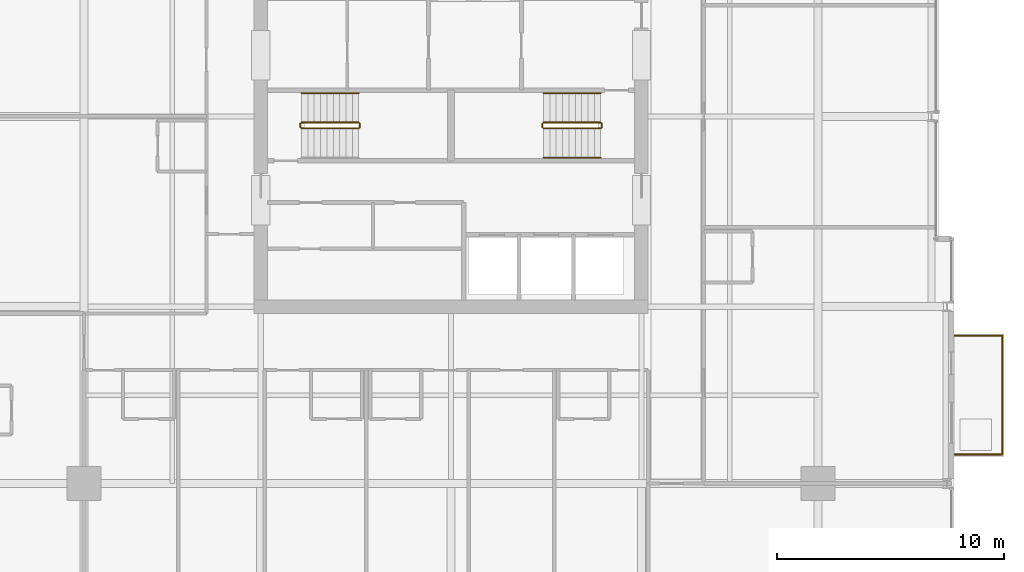
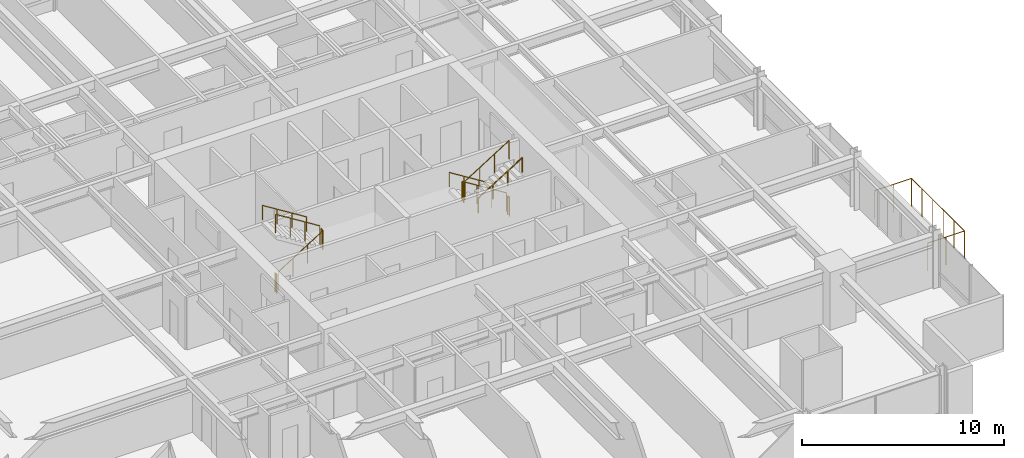
# One storey, part 34 of 35: 12 railings.
"""IFC4 building model written with IfcOpenShell, lengths in metres."""

from ifc_helpers import new_model, si_unit, direction, frame, origin, origin_2d, place, context, subcontext, project, spatial, circle, extrude, material, type_object, element, save


model = new_model("IFC4")

# Units and contexts
model_context = context("Model", 3, precision=1e-05, world=origin(), true_north=direction((0.0, 1.0)))
body_context = subcontext(model_context, "Body", "Model", "MODEL_VIEW")
ifc_project = project(units=[si_unit("LENGTHUNIT", "METRE"), si_unit("AREAUNIT", "SQUARE_METRE"), si_unit("VOLUMEUNIT", "CUBIC_METRE"), si_unit("PLANEANGLEUNIT", "RADIAN"), si_unit("MASSUNIT", "GRAM", prefix="KILO")], contexts=[model_context])

# Site, building, storey
site_placement = place(None, origin())
site = spatial("IfcSite", under=ifc_project, at=site_placement, CompositionType="ELEMENT")
building_placement = place(site_placement, origin())
building = spatial("IfcBuilding", under=site, at=building_placement, Name="Drelvath Grand Hotel", CompositionType="ELEMENT")
storey_placement = place(building_placement, frame((0.0, 0.0, 137.300048828125)))
storey = spatial("IfcBuildingStorey", under=building, at=storey_placement, Name="L35", CompositionType="ELEMENT", Elevation=137.300048828125)

# Railings
ifc_material_1 = material(Name="Painted Steel S275", Category="steel")
railing_type_1 = type_object("IfcRailingType", Name="Core Stair Wall Handrail 900", PredefinedType="HANDRAIL", material=ifc_material_1)
for number, where, name in (
    (1, (-4.080078125, 28.030029296875, 1.925048828125), "L35 ST-1 stair handrail 2"),
    (2, (6.60009765625, 28.030029296875, 0.175048828125), "L35 ST-2 stair handrail 1"),
):
    element("IfcRailing", number, at=place(storey_placement, frame(where)), inside=storey, type_object=railing_type_1, Name=name, PredefinedType="HANDRAIL", context=body_context, shape_type="SweptSolid", body=[
        extrude(circle(Radius=0.02392578125, at=origin_2d()), frame((0.0, 0.0, 0.8759765625), z_axis=(-0.848007534815, 0.0, 0.529984170421), x_axis=(0.0, -1.0, 0.0)), (0.0, 0.0, 1.0), 2.9716796875),
        extrude(circle(Radius=0.02099609375, at=origin_2d()), origin(), (0.0, 0.0, 1.0), 0.851806640625),
        extrude(circle(Radius=0.02099609375, at=origin_2d()), frame((-0.840087890625, 0.0, 0.52490234375)), (0.0, 0.0, 1.0), 0.851806640625),
        extrude(circle(Radius=0.02099609375, at=origin_2d()), frame((-1.679931640625, 0.0, 1.050048828125)), (0.0, 0.0, 1.0), 0.851806640625),
        extrude(circle(Radius=0.02099609375, at=origin_2d()), frame((-2.52001953125, 0.0, 1.574951171875)), (0.0, 0.0, 1.0), 0.851806640625),
    ])
railing_1_placement = place(storey_placement, frame((4.080078125, 25.169921875, 1.925048828125)))
element("IfcRailing", 3, at=railing_1_placement, inside=storey, type_object=railing_type_1, Name="L35 ST-2 stair handrail 2", PredefinedType="HANDRAIL", context=body_context, shape_type="SweptSolid", body=[
    extrude(circle(Radius=0.02392578125, at=origin_2d()), frame((0.0, 0.0, 0.8759765625), z_axis=(0.848007534815, 0.0, 0.529984170421), x_axis=(0.0, 1.0, 0.0)), (0.0, 0.0, 1.0), 2.9716796875),
    extrude(circle(Radius=0.02099609375, at=origin_2d()), origin(), (0.0, 0.0, 1.0), 0.851806640625),
    extrude(circle(Radius=0.02099609375, at=origin_2d()), frame((0.840087890625, 0.0, 0.52490234375)), (0.0, 0.0, 1.0), 0.851806640625),
    extrude(circle(Radius=0.02099609375, at=origin_2d()), frame((1.679931640625, 0.0, 1.050048828125)), (0.0, 0.0, 1.0), 0.851806640625),
    extrude(circle(Radius=0.02099609375, at=origin_2d()), frame((2.52001953125, 0.0, 1.574951171875)), (0.0, 0.0, 1.0), 0.851806640625),
])
railing_type_2 = type_object("IfcRailingType", Name="Core Stair Well Guardrail 1100", PredefinedType="GUARDRAIL", material=ifc_material_1)
railing_2_placement = place(storey_placement, frame((-6.60009765625, 26.469970703125, 0.175048828125)))
element("IfcRailing", 4, at=railing_2_placement, inside=storey, type_object=railing_type_2, Name="L35 ST-1 stair guard 1", PredefinedType="GUARDRAIL", context=body_context, shape_type="SweptSolid", body=[
    extrude(circle(Radius=0.02392578125, at=origin_2d()), frame((0.0, 0.0, 1.1259765625), z_axis=(0.848007534815, 0.0, 0.529984170421), x_axis=(0.0, 1.0, 0.0)), (0.0, 0.0, 1.0), 2.9716796875),
    extrude(circle(Radius=0.02099609375, at=origin_2d()), origin(), (0.0, 0.0, 1.0), 1.101806640625),
    extrude(circle(Radius=0.02099609375, at=origin_2d()), frame((0.840087890625, 0.0, 0.52490234375)), (0.0, 0.0, 1.0), 1.101806640625),
    extrude(circle(Radius=0.02099609375, at=origin_2d()), frame((1.679931640625, 0.0, 1.050048828125)), (0.0, 0.0, 1.0), 1.101806640625),
    extrude(circle(Radius=0.02099609375, at=origin_2d()), frame((2.52001953125, 0.0, 1.574951171875)), (0.0, 0.0, 1.0), 1.101806640625),
])
railing_3_placement = place(storey_placement, frame((-4.030029296875, 26.52001953125, 1.75)))
element("IfcRailing", 5, at=railing_3_placement, inside=storey, type_object=railing_type_2, Name="L35 ST-1 stair guard 2", PredefinedType="GUARDRAIL", context=body_context, shape_type="SweptSolid", body=[
    extrude(circle(Radius=0.02392578125, at=origin_2d()), frame((0.0, 0.0, 1.1259765625), z_axis=(0.0, 1.0, 0.0), x_axis=(-1.0, 0.0, 0.0)), (0.0, 0.0, 1.0), 0.159912109375),
    extrude(circle(Radius=0.02099609375, at=origin_2d()), origin(), (0.0, 0.0, 1.0), 1.101806640625),
    extrude(circle(Radius=0.02099609375, at=origin_2d()), frame((0.0, 0.159912109375, 0.0)), (0.0, 0.0, 1.0), 1.101806640625),
])
railing_4_placement = place(storey_placement, frame((-4.080078125, 26.72998046875, 1.925048828125)))
element("IfcRailing", 6, at=railing_4_placement, inside=storey, type_object=railing_type_2, Name="L35 ST-1 stair guard 3", PredefinedType="GUARDRAIL", context=body_context, shape_type="SweptSolid", body=[
    extrude(circle(Radius=0.02392578125, at=origin_2d()), frame((0.0, 0.0, 1.1259765625), z_axis=(-0.848007534815, 0.0, 0.529984170421), x_axis=(0.0, -1.0, 0.0)), (0.0, 0.0, 1.0), 2.9716796875),
    extrude(circle(Radius=0.02099609375, at=origin_2d()), origin(), (0.0, 0.0, 1.0), 1.101806640625),
    extrude(circle(Radius=0.02099609375, at=origin_2d()), frame((-0.840087890625, 0.0, 0.52490234375)), (0.0, 0.0, 1.0), 1.101806640625),
    extrude(circle(Radius=0.02099609375, at=origin_2d()), frame((-1.679931640625, 0.0, 1.050048828125)), (0.0, 0.0, 1.0), 1.101806640625),
    extrude(circle(Radius=0.02099609375, at=origin_2d()), frame((-2.52001953125, 0.0, 1.574951171875)), (0.0, 0.0, 1.0), 1.101806640625),
])
railing_5_placement = place(storey_placement, frame((-6.64990234375, 26.52001953125, 0.0)))
element("IfcRailing", 7, at=railing_5_placement, inside=storey, type_object=railing_type_2, Name="L35 ST-1 stair guard 4", PredefinedType="GUARDRAIL", context=body_context, shape_type="SweptSolid", body=[
    extrude(circle(Radius=0.02392578125, at=origin_2d()), frame((0.0, 0.0, 1.1259765625), z_axis=(0.0, 1.0, 0.0), x_axis=(-1.0, 0.0, 0.0)), (0.0, 0.0, 1.0), 0.159912109375),
    extrude(circle(Radius=0.02099609375, at=origin_2d()), origin(), (0.0, 0.0, 1.0), 1.101806640625),
    extrude(circle(Radius=0.02099609375, at=origin_2d()), frame((0.0, 0.159912109375, 0.0)), (0.0, 0.0, 1.0), 1.101806640625),
])
railing_6_placement = place(storey_placement, frame((6.60009765625, 26.72998046875, 0.175048828125)))
element("IfcRailing", 8, at=railing_6_placement, inside=storey, type_object=railing_type_2, Name="L35 ST-2 stair guard 1", PredefinedType="GUARDRAIL", context=body_context, shape_type="SweptSolid", body=[
    extrude(circle(Radius=0.02392578125, at=origin_2d()), frame((0.0, 0.0, 1.1259765625), z_axis=(-0.848007534815, 0.0, 0.529984170421), x_axis=(0.0, -1.0, 0.0)), (0.0, 0.0, 1.0), 2.9716796875),
    extrude(circle(Radius=0.02099609375, at=origin_2d()), origin(), (0.0, 0.0, 1.0), 1.101806640625),
    extrude(circle(Radius=0.02099609375, at=origin_2d()), frame((-0.840087890625, 0.0, 0.52490234375)), (0.0, 0.0, 1.0), 1.101806640625),
    extrude(circle(Radius=0.02099609375, at=origin_2d()), frame((-1.679931640625, 0.0, 1.050048828125)), (0.0, 0.0, 1.0), 1.101806640625),
    extrude(circle(Radius=0.02099609375, at=origin_2d()), frame((-2.52001953125, 0.0, 1.574951171875)), (0.0, 0.0, 1.0), 1.101806640625),
])
railing_7_placement = place(storey_placement, frame((4.030029296875, 26.679931640625, 1.75)))
element("IfcRailing", 9, at=railing_7_placement, inside=storey, type_object=railing_type_2, Name="L35 ST-2 stair guard 2", PredefinedType="GUARDRAIL", context=body_context, shape_type="SweptSolid", body=[
    extrude(circle(Radius=0.02392578125, at=origin_2d()), frame((0.0, 0.0, 1.1259765625), z_axis=(0.0, -1.0, 0.0), x_axis=(1.0, 0.0, 0.0)), (0.0, 0.0, 1.0), 0.159912109375),
    extrude(circle(Radius=0.02099609375, at=origin_2d()), origin(), (0.0, 0.0, 1.0), 1.101806640625),
    extrude(circle(Radius=0.02099609375, at=origin_2d()), frame((0.0, -0.159912109375, 0.0)), (0.0, 0.0, 1.0), 1.101806640625),
])
railing_8_placement = place(storey_placement, frame((4.080078125, 26.469970703125, 1.925048828125)))
element("IfcRailing", 10, at=railing_8_placement, inside=storey, type_object=railing_type_2, Name="L35 ST-2 stair guard 3", PredefinedType="GUARDRAIL", context=body_context, shape_type="SweptSolid", body=[
    extrude(circle(Radius=0.02392578125, at=origin_2d()), frame((0.0, 0.0, 1.1259765625), z_axis=(0.848007534815, 0.0, 0.529984170421), x_axis=(0.0, 1.0, 0.0)), (0.0, 0.0, 1.0), 2.9716796875),
    extrude(circle(Radius=0.02099609375, at=origin_2d()), origin(), (0.0, 0.0, 1.0), 1.101806640625),
    extrude(circle(Radius=0.02099609375, at=origin_2d()), frame((0.840087890625, 0.0, 0.52490234375)), (0.0, 0.0, 1.0), 1.101806640625),
    extrude(circle(Radius=0.02099609375, at=origin_2d()), frame((1.679931640625, 0.0, 1.050048828125)), (0.0, 0.0, 1.0), 1.101806640625),
    extrude(circle(Radius=0.02099609375, at=origin_2d()), frame((2.52001953125, 0.0, 1.574951171875)), (0.0, 0.0, 1.0), 1.101806640625),
])
railing_9_placement = place(storey_placement, frame((6.64990234375, 26.679931640625, 0.0)))
element("IfcRailing", 11, at=railing_9_placement, inside=storey, type_object=railing_type_2, Name="L35 ST-2 stair guard 4", PredefinedType="GUARDRAIL", context=body_context, shape_type="SweptSolid", body=[
    extrude(circle(Radius=0.02392578125, at=origin_2d()), frame((0.0, 0.0, 1.1259765625), z_axis=(0.0, -1.0, 0.0), x_axis=(1.0, 0.0, 0.0)), (0.0, 0.0, 1.0), 0.159912109375),
    extrude(circle(Radius=0.02099609375, at=origin_2d()), origin(), (0.0, 0.0, 1.0), 1.101806640625),
    extrude(circle(Radius=0.02099609375, at=origin_2d()), frame((0.0, -0.159912109375, 0.0)), (0.0, 0.0, 1.0), 1.101806640625),
])
ifc_material_2 = material(Name="Anodised Aluminium and Laminated Glass Balustrade", Category="aluminium")
railing_type_3 = type_object("IfcRailingType", Name="Raised Planter Edge Balustrade 1700", PredefinedType="BALUSTRADE", material=ifc_material_2)
railing_10_placement = place(storey_placement, frame((22.219970703125, 12.080078125, 0.0)))
element("IfcRailing", 12, at=railing_10_placement, inside=storey, type_object=railing_type_3, Name="L35 Tree Balcony Perimeter Balustrade 1", PredefinedType="BALUSTRADE", context=body_context, shape_type="SweptSolid", body=[
    extrude(circle(Radius=0.02392578125, at=origin_2d()), frame((0.0, 0.0, 1.67578125), z_axis=(1.0, 0.0, 0.0), x_axis=(0.0, 1.0, 0.0)), (0.0, 0.0, 1.0), 2.10009765625),
    extrude(circle(Radius=0.02392578125, at=origin_2d()), frame((2.10009765625, 0.0, 1.67578125), z_axis=(0.0, 1.0, 0.0), x_axis=(-1.0, 0.0, 0.0)), (0.0, 0.0, 1.0), 5.239990234375),
    extrude(circle(Radius=0.02392578125, at=origin_2d()), frame((2.10009765625, 5.239990234375, 1.67578125), z_axis=(-1.0, 0.0, 0.0), x_axis=(0.0, -1.0, 0.0)), (0.0, 0.0, 1.0), 2.10009765625),
    extrude(circle(Radius=0.02099609375, at=origin_2d()), origin(), (0.0, 0.0, 1.0), 1.65185546875),
    extrude(circle(Radius=0.02099609375, at=origin_2d()), frame((1.050048828125, 0.0, 0.0)), (0.0, 0.0, 1.0), 1.65185546875),
    extrude(circle(Radius=0.02099609375, at=origin_2d()), frame((2.10009765625, 0.0, 0.0)), (0.0, 0.0, 1.0), 1.65185546875),
    extrude(circle(Radius=0.02099609375, at=origin_2d()), frame((2.10009765625, 1.048095703125, 0.0)), (0.0, 0.0, 1.0), 1.65185546875),
    extrude(circle(Radius=0.02099609375, at=origin_2d()), frame((2.10009765625, 2.095947265625, 0.0)), (0.0, 0.0, 1.0), 1.65185546875),
    extrude(circle(Radius=0.02099609375, at=origin_2d()), frame((2.10009765625, 3.14404296875, 0.0)), (0.0, 0.0, 1.0), 1.65185546875),
    extrude(circle(Radius=0.02099609375, at=origin_2d()), frame((2.10009765625, 4.19189453125, 0.0)), (0.0, 0.0, 1.0), 1.65185546875),
    extrude(circle(Radius=0.02099609375, at=origin_2d()), frame((2.10009765625, 5.239990234375, 0.0)), (0.0, 0.0, 1.0), 1.65185546875),
    extrude(circle(Radius=0.02099609375, at=origin_2d()), frame((1.050048828125, 5.239990234375, 0.0)), (0.0, 0.0, 1.0), 1.65185546875),
    extrude(circle(Radius=0.02099609375, at=origin_2d()), frame((0.0, 5.239990234375, 0.0)), (0.0, 0.0, 1.0), 1.65185546875),
])

save(model, "model.ifc")
